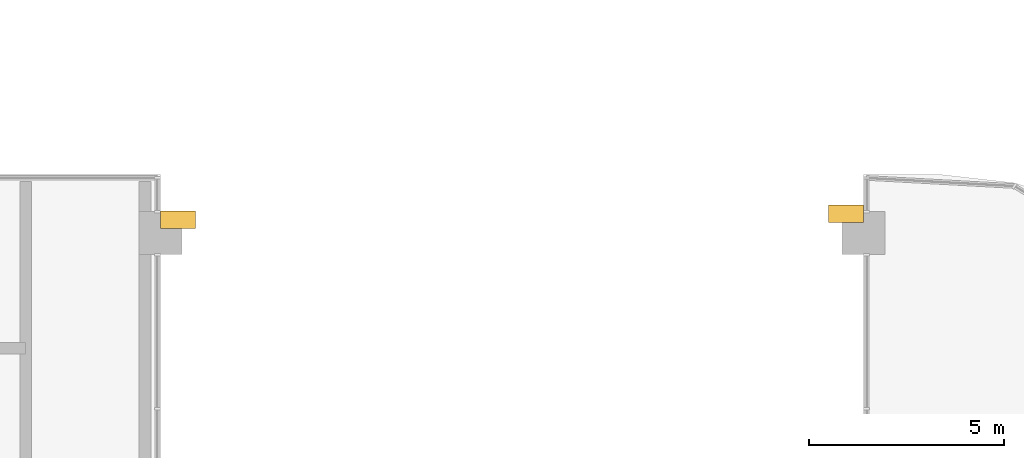
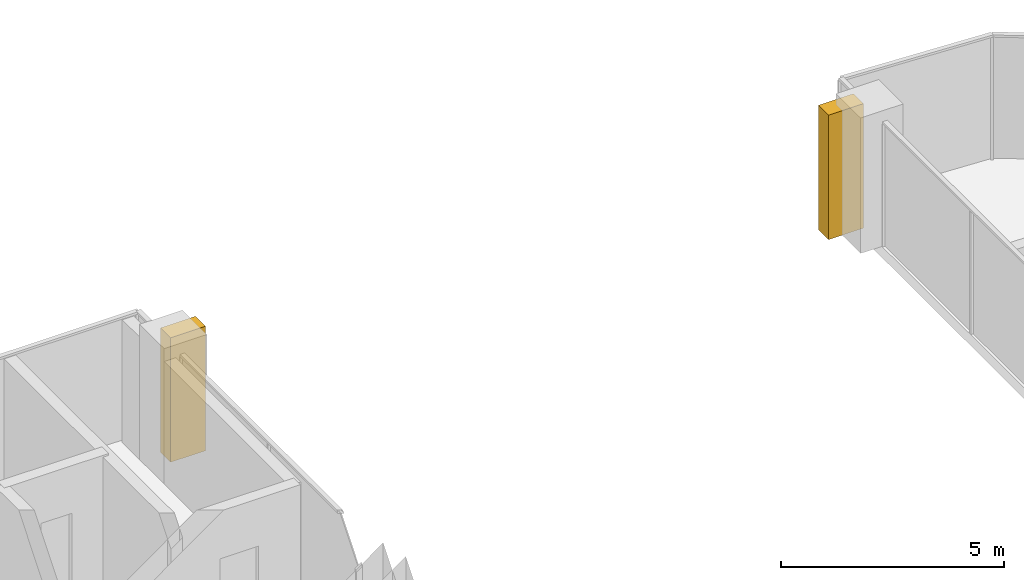
# One storey, part 22 of 23: 2 coverings.
"""IFC4 building model written with IfcOpenShell, lengths in metres."""

from ifc_helpers import new_model, si_unit, direction, frame, origin, origin_2d, place, context, subcontext, project, spatial, rectangle, extrude, material, layer, layer_set, type_object, element, save


model = new_model("IFC4")

# Units and contexts
model_context = context("Model", 3, precision=1e-05, world=origin(), true_north=direction((0.0, 1.0)))
body_context = subcontext(model_context, "Body", "Model", "MODEL_VIEW")
ifc_project = project(units=[si_unit("LENGTHUNIT", "METRE"), si_unit("AREAUNIT", "SQUARE_METRE"), si_unit("VOLUMEUNIT", "CUBIC_METRE"), si_unit("PLANEANGLEUNIT", "RADIAN"), si_unit("MASSUNIT", "GRAM", prefix="KILO")], contexts=[model_context])

# Site, building, storey
site_placement = place(None, origin())
site = spatial("IfcSite", under=ifc_project, at=site_placement, CompositionType="ELEMENT")
building_placement = place(site_placement, origin())
building = spatial("IfcBuilding", under=site, at=building_placement, Name="Ogive Portal Towers", CompositionType="ELEMENT")
storey_placement = place(building_placement, frame((0.0, 0.0, 149.60009765625)))
storey = spatial("IfcBuildingStorey", under=building, at=storey_placement, Name="L36", CompositionType="ELEMENT", Elevation=149.60009765625)

# Coverings
ifc_material = material(Name="Limestone cladding on lightweight block wall", Category="masonry")
ifc_layer = layer(ifc_material, 0.449951171875)
ifc_layer_set = layer_set([ifc_layer], Name="BUTTRESS PIER STONE")
covering_type = type_object("IfcCoveringType", Name="BUTTRESS PIER STONE", PredefinedType="CLADDING", material=ifc_layer_set)
for number, where, z_axis, x_axis, name in (
    (1, (67.949951171875, 39.840087890625, 0.0), (0.0, 0.0, 1.0), (1.0, 0.0, 0.0), "Buttress pier A1-F06.3"),
    (2, (85.050048828125, 40.0, 0.0), (0.0, 0.0, 1.0), (1.0, 0.0, 0.0), "Buttress pier A2-F01.2"),
):
    element("IfcCovering", number, at=place(storey_placement, frame(where, z_axis=z_axis, x_axis=x_axis)), inside=storey, type_object=covering_type, Name=name, PredefinedType="CLADDING", context=body_context, shape_type="SweptSolid", body=[
        extrude(rectangle(XDim=0.89990234375, YDim=0.449951171875, at=origin_2d()), origin(), (0.0, 0.0, 1.0), 3.39990234375),
    ])

save(model, "model.ifc")
